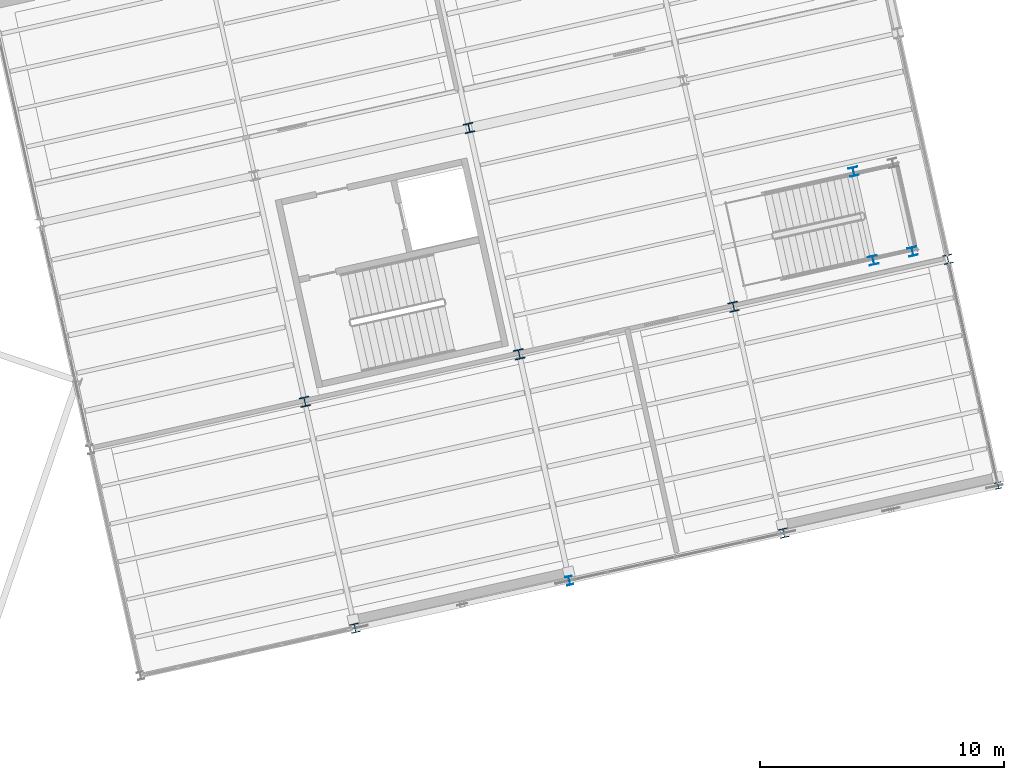
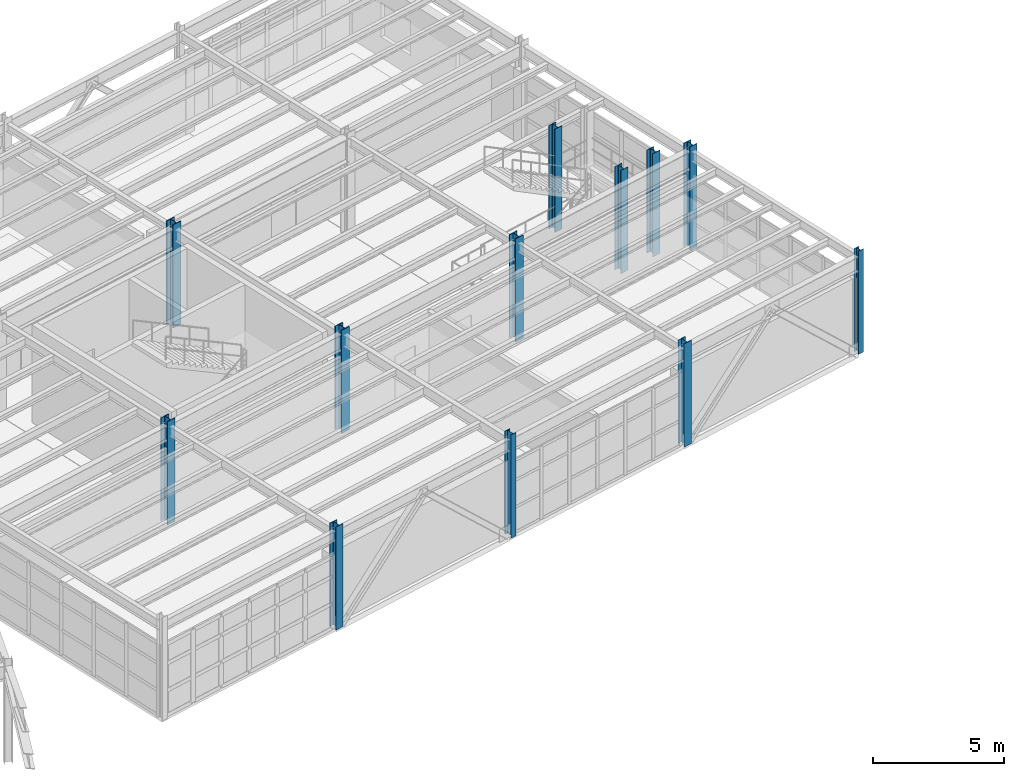
# One storey, part 18 of 109: 12 columns.
"""IFC4 building model written with IfcOpenShell, lengths in metres."""

from ifc_helpers import new_model, si_unit, direction, frame, origin, origin_2d, place, context, subcontext, project, spatial, i_section, extrude, material, material_profile, profile_set, type_object, element, save


model = new_model("IFC4")

# Units and contexts
model_context = context("Model", 3, precision=1e-05, world=origin(), true_north=direction((0.0, 1.0)))
body_context = subcontext(model_context, "Body", "Model", "MODEL_VIEW")
ifc_project = project(units=[si_unit("LENGTHUNIT", "METRE"), si_unit("AREAUNIT", "SQUARE_METRE"), si_unit("VOLUMEUNIT", "CUBIC_METRE"), si_unit("PLANEANGLEUNIT", "RADIAN"), si_unit("MASSUNIT", "GRAM", prefix="KILO")], contexts=[model_context])

# Site, building, storey
site_placement = place(None, origin())
site = spatial("IfcSite", under=ifc_project, at=site_placement, CompositionType="ELEMENT")
building_placement = place(site_placement, origin())
building = spatial("IfcBuilding", under=site, at=building_placement, Name="Vireo Bluff Cable Station", CompositionType="ELEMENT")
storey_placement = place(building_placement, frame((0.0, 0.0, 4.800048828125)))
storey = spatial("IfcBuildingStorey", under=building, at=storey_placement, Name="L01", CompositionType="ELEMENT", Elevation=4.800048828125)

# Columns
ifc_material = material(Name="Steel ASTM A992 Gr. 50", Category="steel")
ifc_material_profile_1 = material_profile(ifc_material, i_section(OverallWidth=0.39892578125, OverallDepth=0.385986328125, WebThickness=0.02099609375, FlangeThickness=0.033203125, FilletRadius=0.014892578125, at=origin_2d()), Name="W14X176")
ifc_profile_set_1 = profile_set([ifc_material_profile_1], Name="Steel ASTM A992 Gr. 50")
column_type_1 = type_object("IfcColumnType", Name="COL-W14X176", PredefinedType="COLUMN", material=ifc_profile_set_1)
for number, where, z_axis, x_axis, name in (
    (1, (132.73046875, 85.22265625, 0.0), (0.0, 0.0, 1.0), (0.97629600712, 0.216439613938, 0.0), "V2 L01 column 139"),
    (2, (150.3037109375, 89.11865234375, 0.0), (0.0, 0.0, 1.0), (0.97629600712, 0.216439613938, 0.0), "V2 L01 column 169"),
):
    element("IfcColumn", number, at=place(storey_placement, frame(where, z_axis=z_axis, x_axis=x_axis)), inside=storey, type_object=column_type_1, Name=name, PredefinedType="COLUMN", context=body_context, shape_type="SweptSolid", body=[
        extrude(i_section(OverallWidth=0.39892578125, OverallDepth=0.385986328125, WebThickness=0.02099609375, FlangeThickness=0.033203125, FilletRadius=0.014892578125, at=origin_2d()), origin(), (0.0, 0.0, 1.0), 4.800048828125),
    ])
ifc_material_profile_2 = material_profile(ifc_material, i_section(OverallWidth=0.40087890625, OverallDepth=0.39404296875, WebThickness=0.022705078125, FlangeThickness=0.03662109375, FilletRadius=0.014892578125, at=origin_2d()), Name="W14X193")
ifc_profile_set_2 = profile_set([ifc_material_profile_2], Name="Steel ASTM A992 Gr. 50")
column_type_2 = type_object("IfcColumnType", Name="COL-W14X193", PredefinedType="COLUMN", material=ifc_profile_set_2)
for number, where, z_axis, x_axis, name in (
    (3, (141.51708984375, 87.170654296875, 0.0), (0.0, 0.0, 1.0), (0.97629600712, 0.216439613938, 0.0), "V2 L01 column 154"),
    (4, (139.4609375, 96.445556640625, 0.0), (0.0, 0.0, 1.0), (0.97629600712, 0.216439613938, 0.0), "V2 L01 column 158"),
):
    element("IfcColumn", number, at=place(storey_placement, frame(where, z_axis=z_axis, x_axis=x_axis)), inside=storey, type_object=column_type_2, Name=name, PredefinedType="COLUMN", context=body_context, shape_type="SweptSolid", body=[
        extrude(i_section(OverallWidth=0.40087890625, OverallDepth=0.39404296875, WebThickness=0.022705078125, FlangeThickness=0.03662109375, FilletRadius=0.014892578125, at=origin_2d()), origin(), (0.0, 0.0, 1.0), 4.800048828125),
    ])
ifc_material_profile_3 = material_profile(ifc_material, i_section(OverallWidth=0.367919921875, OverallDepth=0.35595703125, WebThickness=0.01123046875, FlangeThickness=0.01806640625, FilletRadius=0.014892578125, at=origin_2d()), Name="W14X90")
ifc_profile_set_3 = profile_set([ifc_material_profile_3], Name="Steel ASTM A992 Gr. 50")
column_type_3 = type_object("IfcColumnType", Name="COL-W14X90", PredefinedType="COLUMN", material=ifc_profile_set_3)
for number, where, z_axis, x_axis, name in (
    (5, (156.02734375, 91.022705078125, 0.0), (0.0, 0.0, 1.0), (0.97629600712, 0.216439613938, 0.0), "ST-09 L01 landing support column 1"),
    (6, (157.63818359375, 91.379638671875, 0.0), (0.0, 0.0, 1.0), (0.97629600712, 0.216439613938, 0.0), "ST-09 L01 landing support column 2"),
    (7, (155.22216796875, 94.654541015625, 0.0), (0.0, 0.0, 1.0), (0.97629600712, 0.216439613938, 0.0), "ST-09 L01 landing support column 3"),
):
    element("IfcColumn", number, at=place(storey_placement, frame(where, z_axis=z_axis, x_axis=x_axis)), inside=storey, type_object=column_type_3, Name=name, PredefinedType="COLUMN", context=body_context, shape_type="SweptSolid", body=[
        extrude(i_section(OverallWidth=0.367919921875, OverallDepth=0.35595703125, WebThickness=0.01123046875, FlangeThickness=0.01806640625, FilletRadius=0.014892578125, at=origin_2d()), origin(), (0.0, 0.0, 1.0), 4.800048828125),
    ])
ifc_material_profile_4 = material_profile(ifc_material, i_section(OverallWidth=0.257080078125, OverallDepth=0.363037109375, WebThickness=0.012939453125, FlangeThickness=0.021728515625, FilletRadius=0.014892578125, at=origin_2d()), Name="W14X82")
ifc_profile_set_4 = profile_set([ifc_material_profile_4], Name="Steel ASTM A992 Gr. 50")
column_type_4 = type_object("IfcColumnType", Name="ECOL-W14X82", PredefinedType="COLUMN", material=ifc_profile_set_4)
column_1_placement = place(storey_placement, frame((143.5732421875, 77.89599609375, 0.0), z_axis=(0.0, 0.0, 1.0), x_axis=(0.97629600712, 0.216439613938, 0.0)))
element("IfcColumn", 8, at=column_1_placement, inside=storey, type_object=column_type_4, Name="V2 L01 column 151", PredefinedType="COLUMN", context=body_context, shape_type="SweptSolid", body=[
    extrude(i_section(OverallWidth=0.257080078125, OverallDepth=0.363037109375, WebThickness=0.012939453125, FlangeThickness=0.021728515625, FilletRadius=0.014892578125, at=origin_2d()), origin(), (0.0, 0.0, 1.0), 4.800048828125),
])
ifc_material_profile_5 = material_profile(ifc_material, i_section(OverallWidth=0.3701171875, OverallDepth=0.360107421875, WebThickness=0.01220703125, FlangeThickness=0.019775390625, FilletRadius=0.014892578125, at=origin_2d()), Name="W14X99")
ifc_profile_set_5 = profile_set([ifc_material_profile_5], Name="Steel ASTM A992 Gr. 50")
column_type_5 = type_object("IfcColumnType", Name="ECOL-W14X99", PredefinedType="COLUMN", material=ifc_profile_set_5)
for number, where, z_axis, x_axis, name in (
    (9, (134.78662109375, 75.947998046875, 0.0), (0.0, 0.0, 1.0), (0.97629600712, 0.216439613938, 0.0), "V2 L01 column 136"),
    (10, (152.360107421875, 79.84375, 0.0), (0.0, 0.0, 1.0), (0.97629600712, 0.216439613938, 0.0), "V2 L01 column 166"),
    (11, (159.090576171875, 91.066650390625, 0.0), (0.0, 0.0, 1.0), (0.97629600712, 0.216439613938, 0.0), "V2 L01 column 184"),
):
    element("IfcColumn", number, at=place(storey_placement, frame(where, z_axis=z_axis, x_axis=x_axis)), inside=storey, type_object=column_type_5, Name=name, PredefinedType="COLUMN", context=body_context, shape_type="SweptSolid", body=[
        extrude(i_section(OverallWidth=0.3701171875, OverallDepth=0.360107421875, WebThickness=0.01220703125, FlangeThickness=0.019775390625, FilletRadius=0.014892578125, at=origin_2d()), origin(), (0.0, 0.0, 1.0), 4.800048828125),
    ])
ifc_material_profile_6 = material_profile(ifc_material, i_section(OverallWidth=0.2548828125, OverallDepth=0.256103515625, WebThickness=0.009521484375, FlangeThickness=0.015625, FilletRadius=0.009033203125, at=origin_2d()), Name="W10X54")
ifc_profile_set_6 = profile_set([ifc_material_profile_6], Name="Steel ASTM A992 Gr. 50")
column_type_6 = type_object("IfcColumnType", Name="PIL-W10X54", PredefinedType="PILASTER", material=ifc_profile_set_6)
column_2_placement = place(storey_placement, frame((161.146728515625, 81.791748046875, 0.0), z_axis=(0.0, 0.0, 1.0), x_axis=(0.97629600712, 0.216439613938, 0.0)))
element("IfcColumn", 12, at=column_2_placement, inside=storey, type_object=column_type_6, Name="V2 L01 column 181", PredefinedType="PILASTER", context=body_context, shape_type="SweptSolid", body=[
    extrude(i_section(OverallWidth=0.2548828125, OverallDepth=0.256103515625, WebThickness=0.009521484375, FlangeThickness=0.015625, FilletRadius=0.009033203125, at=origin_2d()), origin(), (0.0, 0.0, 1.0), 4.800048828125),
])

save(model, "model.ifc")
